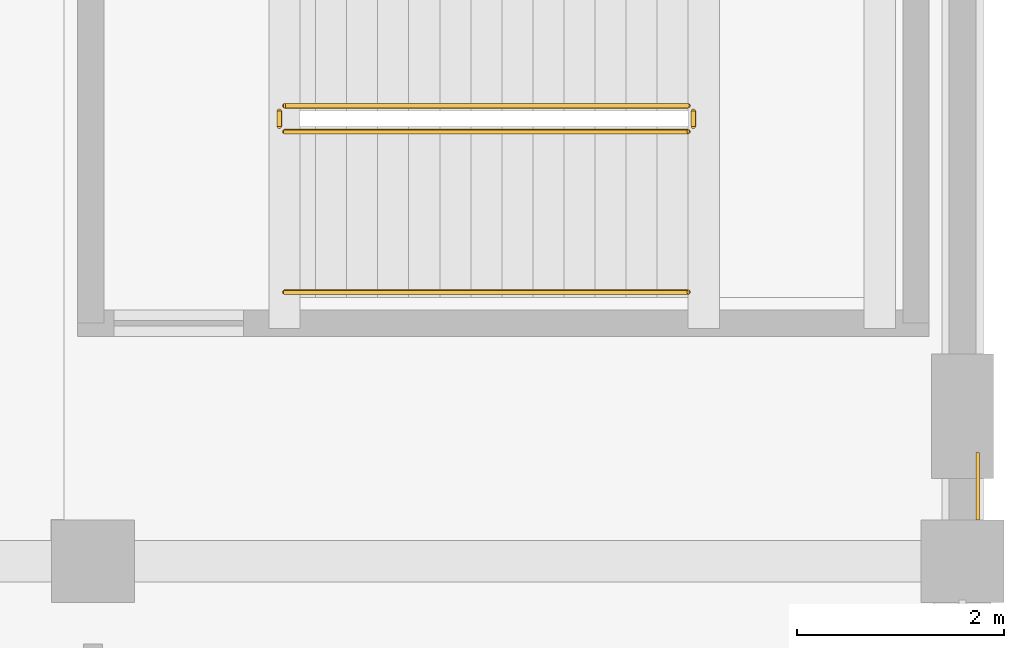
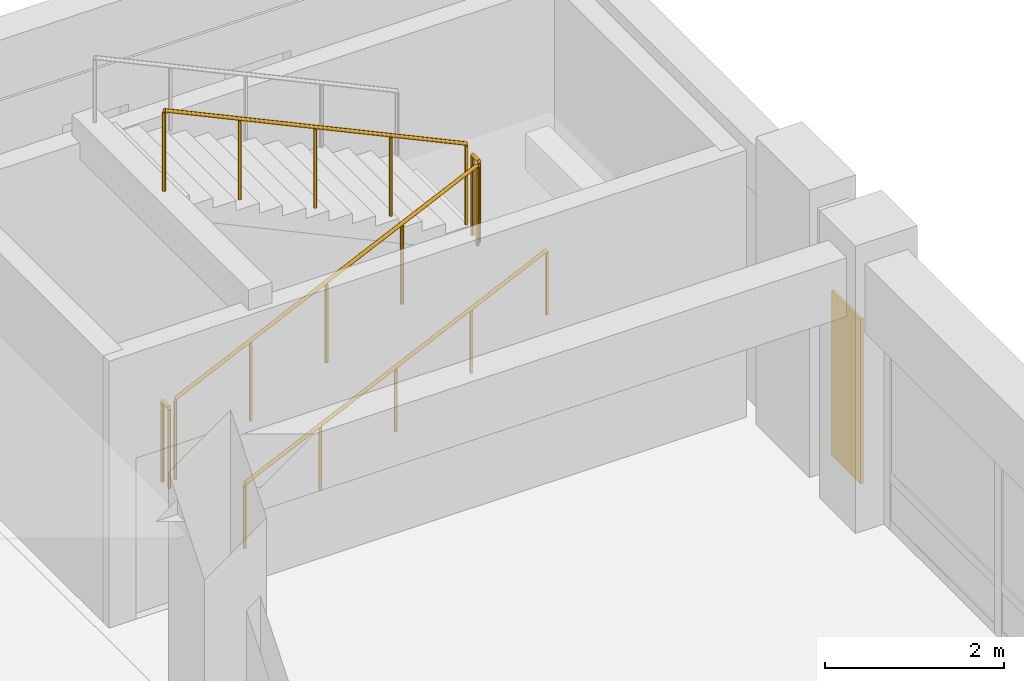
# One storey, part 131 of 135: 5 railings, 1 covering.
"""IFC4 building model written with IfcOpenShell, lengths in metres."""

from ifc_helpers import new_model, si_unit, direction, frame, origin, origin_2d, place, context, subcontext, project, spatial, polyline, circle, outline, extrude, material, layer, layer_set, type_object, element, save


model = new_model("IFC4")

# Units and contexts
model_context = context("Model", 3, precision=1e-05, world=origin(), true_north=direction((0.0, 1.0)))
body_context = subcontext(model_context, "Body", "Model", "MODEL_VIEW")
ifc_project = project(units=[si_unit("LENGTHUNIT", "METRE"), si_unit("AREAUNIT", "SQUARE_METRE"), si_unit("VOLUMEUNIT", "CUBIC_METRE"), si_unit("PLANEANGLEUNIT", "RADIAN"), si_unit("MASSUNIT", "GRAM", prefix="KILO")], contexts=[model_context])

# Site, building, storey
site_placement = place(None, origin())
site = spatial("IfcSite", under=ifc_project, at=site_placement, CompositionType="ELEMENT")
building_placement = place(site_placement, origin())
building = spatial("IfcBuilding", under=site, at=building_placement, Name="Cumbredor Promenade Congress Hotel", CompositionType="ELEMENT")
storey_placement = place(building_placement, origin())
storey = spatial("IfcBuildingStorey", under=building, at=storey_placement, Name="L00", CompositionType="ELEMENT", Elevation=0.0)

# Railings
ifc_material_1 = material(Name="Brushed stainless steel", Category="steel")
railing_type_1 = type_object("IfcRailingType", Name="Interior Void & Stair Guardrail GR-1100", PredefinedType="GUARDRAIL", material=ifc_material_1)
railing_1_placement = place(storey_placement, frame((178.25, 62.949951171875, 0.139892578125)))
element("IfcRailing", 1, at=railing_1_placement, inside=storey, type_object=railing_type_1, Name="L00 ST-10 stair guard 1", PredefinedType="GUARDRAIL", context=body_context, shape_type="SweptSolid", body=[
    extrude(circle(Radius=0.02392578125, at=origin_2d()), frame((0.0, 0.0, 1.09619140625), z_axis=(0.906172994947, 0.0, 0.42290720404), x_axis=(0.0, 1.0, 0.0)), (0.0, 0.0, 1.0), 4.3037109375),
    extrude(circle(Radius=0.02099609375, at=origin_2d()), origin(), (0.0, 0.0, 1.0), 1.072021484375),
    extrude(circle(Radius=0.02099609375, at=origin_2d()), frame((0.97509765625, 0.0, 0.455078125)), (0.0, 0.0, 1.0), 1.072021484375),
    extrude(circle(Radius=0.02099609375, at=origin_2d()), frame((1.949951171875, 0.0, 0.91015625)), (0.0, 0.0, 1.0), 1.072021484375),
    extrude(circle(Radius=0.02099609375, at=origin_2d()), frame((2.9248046875, 0.0, 1.364990234375)), (0.0, 0.0, 1.0), 1.072021484375),
    extrude(circle(Radius=0.02099609375, at=origin_2d()), frame((3.89990234375, 0.0, 1.820068359375)), (0.0, 0.0, 1.0), 1.072021484375),
])
railing_2_placement = place(storey_placement, frame((182.199951171875, 63.0, 1.9599609375)))
element("IfcRailing", 2, at=railing_2_placement, inside=storey, type_object=railing_type_1, Name="L00 ST-10 stair guard 2", PredefinedType="GUARDRAIL", context=body_context, shape_type="SweptSolid", body=[
    extrude(circle(Radius=0.02392578125, at=origin_2d()), frame((0.0, 0.0, 1.09619140625), z_axis=(0.0, 1.0, 0.0), x_axis=(-1.0, 0.0, 0.0)), (0.0, 0.0, 1.0), 0.14990234375),
    extrude(circle(Radius=0.02099609375, at=origin_2d()), origin(), (0.0, 0.0, 1.0), 1.072021484375),
    extrude(circle(Radius=0.02099609375, at=origin_2d()), frame((0.0, 0.14990234375, 0.0)), (0.0, 0.0, 1.0), 1.072021484375),
])
railing_3_placement = place(storey_placement, frame((182.14990234375, 63.199951171875, 2.10009765625)))
element("IfcRailing", 3, at=railing_3_placement, inside=storey, type_object=railing_type_1, Name="L00 ST-10 stair guard 3", PredefinedType="GUARDRAIL", context=body_context, shape_type="SweptSolid", body=[
    extrude(circle(Radius=0.02392578125, at=origin_2d()), frame((0.0, 0.0, 1.09619140625), z_axis=(-0.906194733976, 0.0, 0.422860620199), x_axis=(0.0, -1.0, 0.0)), (0.0, 0.0, 1.0), 4.3037109375),
    extrude(circle(Radius=0.02099609375, at=origin_2d()), origin(), (0.0, 0.0, 1.0), 1.072021484375),
    extrude(circle(Radius=0.02099609375, at=origin_2d()), frame((-0.97509765625, 0.0, 0.455078125)), (0.0, 0.0, 1.0), 1.072021484375),
    extrude(circle(Radius=0.02099609375, at=origin_2d()), frame((-1.949951171875, 0.0, 0.909912109375)), (0.0, 0.0, 1.0), 1.072021484375),
    extrude(circle(Radius=0.02099609375, at=origin_2d()), frame((-2.9248046875, 0.0, 1.36474609375)), (0.0, 0.0, 1.0), 1.072021484375),
    extrude(circle(Radius=0.02099609375, at=origin_2d()), frame((-3.89990234375, 0.0, 1.81982421875)), (0.0, 0.0, 1.0), 1.072021484375),
])
railing_4_placement = place(storey_placement, frame((178.199951171875, 63.0, 0.0)))
element("IfcRailing", 4, at=railing_4_placement, inside=storey, type_object=railing_type_1, Name="L00 ST-10 stair guard 4", PredefinedType="GUARDRAIL", context=body_context, shape_type="SweptSolid", body=[
    extrude(circle(Radius=0.02392578125, at=origin_2d()), frame((0.0, 0.0, 1.09619140625), z_axis=(0.0, 1.0, 0.0), x_axis=(-1.0, 0.0, 0.0)), (0.0, 0.0, 1.0), 0.14990234375),
    extrude(circle(Radius=0.02099609375, at=origin_2d()), origin(), (0.0, 0.0, 1.0), 1.072021484375),
    extrude(circle(Radius=0.02099609375, at=origin_2d()), frame((0.0, 0.14990234375, 0.0)), (0.0, 0.0, 1.0), 1.072021484375),
])
railing_type_2 = type_object("IfcRailingType", Name="Stair Pitch Handrail HR-900", PredefinedType="HANDRAIL", material=ifc_material_1)
railing_5_placement = place(storey_placement, frame((178.25, 61.39990234375, 0.139892578125)))
element("IfcRailing", 5, at=railing_5_placement, inside=storey, type_object=railing_type_2, Name="L00 ST-10 stair handrail 1", PredefinedType="HANDRAIL", context=body_context, shape_type="SweptSolid", body=[
    extrude(circle(Radius=0.02392578125, at=origin_2d()), frame((0.0, 0.0, 0.8759765625), z_axis=(0.906172994947, 0.0, 0.42290720404), x_axis=(0.0, 1.0, 0.0)), (0.0, 0.0, 1.0), 4.3037109375),
    extrude(circle(Radius=0.02099609375, at=origin_2d()), origin(), (0.0, 0.0, 1.0), 0.851806640625),
    extrude(circle(Radius=0.02099609375, at=origin_2d()), frame((0.97509765625, 0.0, 0.455078125)), (0.0, 0.0, 1.0), 0.851806640625),
    extrude(circle(Radius=0.02099609375, at=origin_2d()), frame((1.949951171875, 0.0, 0.91015625)), (0.0, 0.0, 1.0), 0.851806640625),
    extrude(circle(Radius=0.02099609375, at=origin_2d()), frame((2.9248046875, 0.0, 1.364990234375)), (0.0, 0.0, 1.0), 0.851806640625),
    extrude(circle(Radius=0.02099609375, at=origin_2d()), frame((3.89990234375, 0.0, 1.820068359375)), (0.0, 0.0, 1.0), 0.851806640625),
])

# Covering
ifc_material_2 = material(Name="Volcanic andesite ashlar cladding", Category="masonry")
ifc_layer = layer(ifc_material_2, 0.034912109375, Name="Volcanic andesite ashlar cladding", Category="masonry")
ifc_layer_set = layer_set([ifc_layer], Name="Volcanic andesite ashlar cladding")
covering_type = type_object("IfcCoveringType", Name="Volcanic Andesite Ashlar Rainscreen Cladding 35mm", PredefinedType="CLADDING", material=ifc_layer_set)
covering_placement = place(storey_placement, origin())
element("IfcCovering", 6, at=covering_placement, inside=storey, type_object=covering_type, Name="L00 Facade Stone Cladding Pier 017", PredefinedType="CLADDING", context=body_context, shape_type="SweptSolid", body=[
    extrude(outline(polyline([(184.929931640625, 59.200927734375), (184.929931640625, 59.85107421875), (184.965087890625, 59.85107421875), (184.965087890625, 59.200927734375), (184.929931640625, 59.200927734375)])), origin(), (0.0, 0.0, 1.0), 2.25),
])

save(model, "model.ifc")
